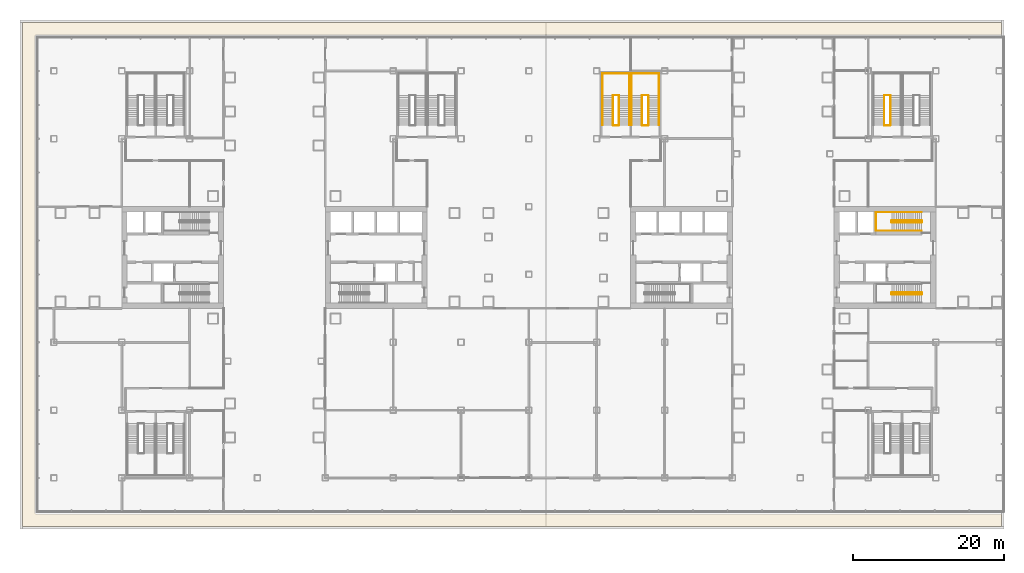
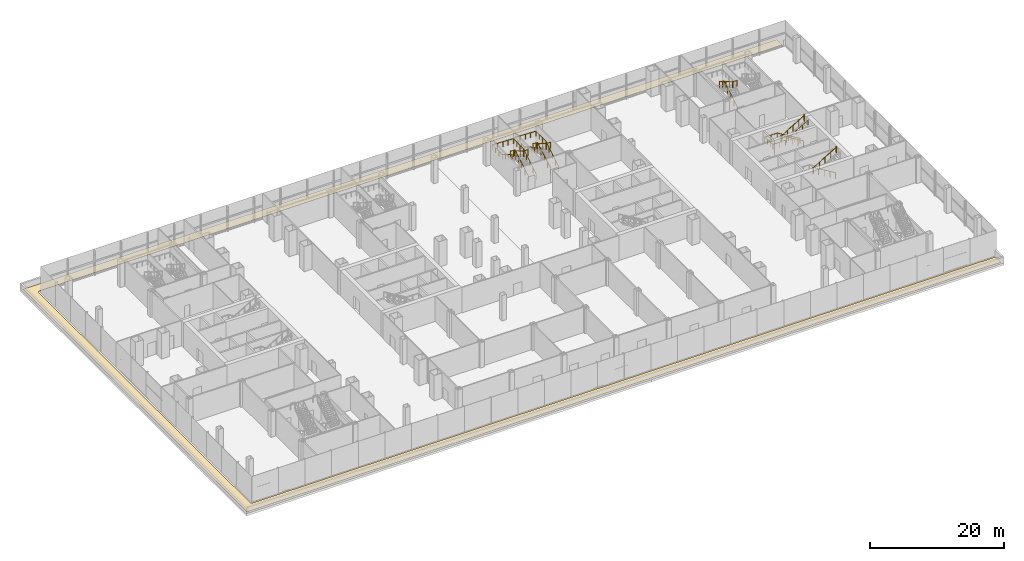
# One storey, part 32 of 33: 8 railings, 1 covering.
"""IFC4 building model written with IfcOpenShell, lengths in metres."""

from ifc_helpers import new_model, si_unit, direction, frame, origin, origin_2d, place, context, subcontext, project, spatial, polyline, circle, outline, extrude, material, layer, layer_set, type_object, element, save


model = new_model("IFC4")

# Units and contexts
model_context = context("Model", 3, precision=1e-05, world=origin(), true_north=direction((0.0, 1.0)))
body_context = subcontext(model_context, "Body", "Model", "MODEL_VIEW")
ifc_project = project(units=[si_unit("LENGTHUNIT", "METRE"), si_unit("AREAUNIT", "SQUARE_METRE"), si_unit("VOLUMEUNIT", "CUBIC_METRE"), si_unit("PLANEANGLEUNIT", "RADIAN"), si_unit("MASSUNIT", "GRAM", prefix="KILO")], contexts=[model_context])

# Site, building, storey
site_placement = place(None, origin())
site = spatial("IfcSite", under=ifc_project, at=site_placement, CompositionType="ELEMENT")
building_placement = place(site_placement, origin())
building = spatial("IfcBuilding", under=site, at=building_placement, Name="Shamsa Quay Exchange Towers", CompositionType="ELEMENT")
storey_placement = place(building_placement, frame((0.0, 0.0, 18.5)))
storey = spatial("IfcBuildingStorey", under=building, at=storey_placement, Name="L03", CompositionType="ELEMENT", Elevation=18.5)

# Covering
ifc_material_1 = material(Name="Bituminous waterproofing membrane with ballast")
ifc_layer = layer(ifc_material_1, 0.06005859375)
ifc_layer_set = layer_set([ifc_layer], Name="ROOF MEMBRANE 60")
covering_type = type_object("IfcCoveringType", Name="ROOF MEMBRANE 60", PredefinedType="ROOFING", material=ifc_layer_set)
covering_placement = place(storey_placement, origin())
element("IfcCovering", 1, at=covering_placement, inside=storey, type_object=covering_type, Name="Roof membrane 1.1", PredefinedType="ROOFING", context=body_context, shape_type="SweptSolid", body=[
    extrude(outline(polyline([(-65.3125, 29.56396484375), (-65.3427734375, 29.55615234375), (-65.37255859375, 29.545654296875), (-65.40087890625, 29.5322265625), (-65.427734375, 29.51611328125), (-65.453125, 29.497314453125), (-65.476318359375, 29.476318359375), (-65.497314453125, 29.453125), (-65.51611328125, 29.427734375), (-65.5322265625, 29.40087890625), (-65.545654296875, 29.37255859375), (-65.55615234375, 29.3427734375), (-65.56396484375, 29.3125), (-65.568359375, 29.28125), (-65.570068359375, 29.25), (-65.570068359375, -33.75), (-65.568359375, -33.78125), (-65.56396484375, -33.8125), (-65.55615234375, -33.8427734375), (-65.545654296875, -33.87255859375), (-65.5322265625, -33.90087890625), (-65.51611328125, -33.927734375), (-65.497314453125, -33.953125), (-65.476318359375, -33.976318359375), (-65.453125, -33.997314453125), (-65.427734375, -34.01611328125), (-65.40087890625, -34.0322265625), (-65.37255859375, -34.045654296875), (-65.3427734375, -34.05615234375), (-65.3125, -34.06396484375), (-65.28125, -34.068359375), (-65.25, -34.070068359375), (62.679931640625, -34.070068359375), (62.679931640625, -35.679931640625), (-67.179931640625, -35.679931640625), (-67.179931640625, 31.179931640625), (62.679931640625, 31.179931640625), (62.679931640625, 29.570068359375), (-65.25, 29.570068359375), (-65.28125, 29.568359375), (-65.3125, 29.56396484375)])), origin(), (0.0, 0.0, 1.0), 0.06005859375),
])

# Railings
ifc_material_2 = material(Name="Stainless steel", Category="steel")
railing_type_1 = type_object("IfcRailingType", Name="STAIR GUARD 1100", PredefinedType="GUARDRAIL", material=ifc_material_2)
railing_1_placement = place(storey_placement, frame((52.10009765625, -4.64990234375, 0.166748046875)))
element("IfcRailing", 2, at=railing_1_placement, inside=storey, type_object=railing_type_1, Name="L03 ST5 stair guard 1", PredefinedType="GUARDRAIL", context=body_context, shape_type="SweptSolid", body=[
    extrude(circle(Radius=0.02392578125, at=origin_2d()), frame((0.0, 0.0, 1.076171875), z_axis=(-0.859310244771, 0.0, 0.511454693235), x_axis=(0.0, -1.0, 0.0)), (0.0, 0.0, 1.0), 4.56201171875),
    extrude(circle(Radius=0.02392578125, at=origin_2d()), frame((-3.920166015625, 0.0, 3.4091796875), z_axis=(-0.707106781187, -0.707106781187, 0.0), x_axis=(0.707106781187, -0.707106781187, 0.0)), (0.0, 0.0, 1.0), 0.07080078125),
    extrude(circle(Radius=0.02392578125, at=origin_2d()), frame((-3.97021484375, -0.050048828125, 3.4091796875), z_axis=(0.0, -1.0, 0.0), x_axis=(1.0, 0.0, 0.0)), (0.0, 0.0, 1.0), 0.150146484375),
    extrude(circle(Radius=0.02392578125, at=origin_2d()), frame((-3.97021484375, -0.2001953125, 3.4091796875), z_axis=(0.276389281352, -0.275041040955, 0.920848191041), x_axis=(0.705375805398, 0.708833529934, 0.0)), (0.0, 0.0, 1.0), 0.18115234375),
    extrude(circle(Radius=0.02392578125, at=origin_2d()), frame((-3.920166015625, -0.25, 3.576171875), z_axis=(0.859310244771, 0.0, 0.511454693235), x_axis=(0.0, 1.0, 0.0)), (0.0, 0.0, 1.0), 4.56201171875),
    extrude(circle(Radius=0.02392578125, at=origin_2d()), frame((0.0, -0.25, 5.9091796875), z_axis=(0.241699205484, 0.970351222016, 0.0), x_axis=(-0.970351222016, 0.241699205484, 0.0)), (0.0, 0.0, 1.0), 0.2060546875),
    extrude(circle(Radius=0.02392578125, at=origin_2d()), frame((0.0498046875, -0.050048828125, 5.9091796875), z_axis=(0.0, -1.0, 0.0), x_axis=(1.0, 0.0, 0.0)), (0.0, 0.0, 1.0), 0.150146484375),
    extrude(circle(Radius=0.02099609375, at=origin_2d()), origin(), (0.0, 0.0, 1.0), 1.052001953125),
    extrude(circle(Radius=0.02099609375, at=origin_2d()), frame((-0.97998046875, 0.0, 0.583251953125)), (0.0, 0.0, 1.0), 1.052001953125),
    extrude(circle(Radius=0.02099609375, at=origin_2d()), frame((-1.9599609375, 0.0, 1.16650390625)), (0.0, 0.0, 1.0), 1.052001953125),
    extrude(circle(Radius=0.02099609375, at=origin_2d()), frame((-2.940185546875, 0.0, 1.75)), (0.0, 0.0, 1.0), 1.052001953125),
    extrude(circle(Radius=0.02099609375, at=origin_2d()), frame((-3.920166015625, 0.0, 2.333251953125)), (0.0, 0.0, 1.0), 1.052001953125),
    extrude(circle(Radius=0.02099609375, at=origin_2d()), frame((-3.97021484375, -0.050048828125, 2.333251953125)), (0.0, 0.0, 1.0), 1.052001953125),
    extrude(circle(Radius=0.02099609375, at=origin_2d()), frame((-3.97021484375, -0.2001953125, 2.333251953125)), (0.0, 0.0, 1.0), 1.052001953125),
    extrude(circle(Radius=0.02099609375, at=origin_2d()), frame((-3.920166015625, -0.25, 2.5)), (0.0, 0.0, 1.0), 1.052001953125),
    extrude(circle(Radius=0.02099609375, at=origin_2d()), frame((-2.940185546875, -0.25, 3.083251953125)), (0.0, 0.0, 1.0), 1.052001953125),
    extrude(circle(Radius=0.02099609375, at=origin_2d()), frame((-1.9599609375, -0.25, 3.66650390625)), (0.0, 0.0, 1.0), 1.052001953125),
    extrude(circle(Radius=0.02099609375, at=origin_2d()), frame((-0.97998046875, -0.25, 4.25)), (0.0, 0.0, 1.0), 1.052001953125),
    extrude(circle(Radius=0.02099609375, at=origin_2d()), frame((0.0, -0.25, 4.833251953125)), (0.0, 0.0, 1.0), 1.052001953125),
    extrude(circle(Radius=0.02099609375, at=origin_2d()), frame((0.0498046875, -0.050048828125, 4.833251953125)), (0.0, 0.0, 1.0), 1.052001953125),
    extrude(circle(Radius=0.02099609375, at=origin_2d()), frame((0.0498046875, -0.2001953125, 4.833251953125)), (0.0, 0.0, 1.0), 1.052001953125),
])
railing_2_placement = place(storey_placement, frame((52.10009765625, 4.89990234375, 0.166748046875)))
element("IfcRailing", 3, at=railing_2_placement, inside=storey, type_object=railing_type_1, Name="L03 ST6 stair guard 1", PredefinedType="GUARDRAIL", context=body_context, shape_type="SweptSolid", body=[
    extrude(circle(Radius=0.02392578125, at=origin_2d()), frame((0.0, 0.0, 1.076171875), z_axis=(-0.859310244771, 0.0, 0.511454693235), x_axis=(0.0, -1.0, 0.0)), (0.0, 0.0, 1.0), 4.56201171875),
    extrude(circle(Radius=0.02392578125, at=origin_2d()), frame((-3.920166015625, 0.0, 3.4091796875), z_axis=(-0.708833529934, -0.705375805398, 0.0), x_axis=(0.705375805398, -0.708833529934, 0.0)), (0.0, 0.0, 1.0), 0.070556640625),
    extrude(circle(Radius=0.02392578125, at=origin_2d()), frame((-3.97021484375, -0.0498046875, 3.4091796875), z_axis=(0.0, -1.0, 0.0), x_axis=(1.0, 0.0, 0.0)), (0.0, 0.0, 1.0), 0.150146484375),
    extrude(circle(Radius=0.02392578125, at=origin_2d()), frame((-3.97021484375, -0.199951171875, 3.4091796875), z_axis=(0.27628659633, -0.27628659633, 0.920506074601), x_axis=(0.707106781187, 0.707106781187, 0.0)), (0.0, 0.0, 1.0), 0.18115234375),
    extrude(circle(Radius=0.02392578125, at=origin_2d()), frame((-3.920166015625, -0.25, 3.576171875), z_axis=(0.859310244771, 0.0, 0.511454693235), x_axis=(0.0, 1.0, 0.0)), (0.0, 0.0, 1.0), 4.56201171875),
    extrude(circle(Radius=0.02392578125, at=origin_2d()), frame((0.0, -0.25, 5.9091796875), z_axis=(0.24142163986, 0.970420317083, 0.0), x_axis=(-0.970420317083, 0.24142163986, 0.0)), (0.0, 0.0, 1.0), 0.206298828125),
    extrude(circle(Radius=0.02392578125, at=origin_2d()), frame((0.0498046875, -0.0498046875, 5.9091796875), z_axis=(0.0, -1.0, 0.0), x_axis=(1.0, 0.0, 0.0)), (0.0, 0.0, 1.0), 0.150146484375),
    extrude(circle(Radius=0.02099609375, at=origin_2d()), origin(), (0.0, 0.0, 1.0), 1.052001953125),
    extrude(circle(Radius=0.02099609375, at=origin_2d()), frame((-0.97998046875, 0.0, 0.583251953125)), (0.0, 0.0, 1.0), 1.052001953125),
    extrude(circle(Radius=0.02099609375, at=origin_2d()), frame((-1.9599609375, 0.0, 1.16650390625)), (0.0, 0.0, 1.0), 1.052001953125),
    extrude(circle(Radius=0.02099609375, at=origin_2d()), frame((-2.940185546875, 0.0, 1.75)), (0.0, 0.0, 1.0), 1.052001953125),
    extrude(circle(Radius=0.02099609375, at=origin_2d()), frame((-3.920166015625, 0.0, 2.333251953125)), (0.0, 0.0, 1.0), 1.052001953125),
    extrude(circle(Radius=0.02099609375, at=origin_2d()), frame((-3.97021484375, -0.0498046875, 2.333251953125)), (0.0, 0.0, 1.0), 1.052001953125),
    extrude(circle(Radius=0.02099609375, at=origin_2d()), frame((-3.97021484375, -0.199951171875, 2.333251953125)), (0.0, 0.0, 1.0), 1.052001953125),
    extrude(circle(Radius=0.02099609375, at=origin_2d()), frame((-3.920166015625, -0.25, 2.5)), (0.0, 0.0, 1.0), 1.052001953125),
    extrude(circle(Radius=0.02099609375, at=origin_2d()), frame((-2.940185546875, -0.25, 3.083251953125)), (0.0, 0.0, 1.0), 1.052001953125),
    extrude(circle(Radius=0.02099609375, at=origin_2d()), frame((-1.9599609375, -0.25, 3.66650390625)), (0.0, 0.0, 1.0), 1.052001953125),
    extrude(circle(Radius=0.02099609375, at=origin_2d()), frame((-0.97998046875, -0.25, 4.25)), (0.0, 0.0, 1.0), 1.052001953125),
    extrude(circle(Radius=0.02099609375, at=origin_2d()), frame((0.0, -0.25, 4.833251953125)), (0.0, 0.0, 1.0), 1.052001953125),
    extrude(circle(Radius=0.02099609375, at=origin_2d()), frame((0.0498046875, -0.0498046875, 4.833251953125)), (0.0, 0.0, 1.0), 1.052001953125),
    extrude(circle(Radius=0.02099609375, at=origin_2d()), frame((0.0498046875, -0.199951171875, 4.833251953125)), (0.0, 0.0, 1.0), 1.052001953125),
])
railing_3_placement = place(storey_placement, frame((11.97509765625, 17.550048828125, 0.166748046875)))
element("IfcRailing", 4, at=railing_3_placement, inside=storey, type_object=railing_type_1, Name="L03 PS3A stair guard 1", PredefinedType="GUARDRAIL", context=body_context, shape_type="SweptSolid", body=[
    extrude(circle(Radius=0.02392578125, at=origin_2d()), frame((0.0, 0.0, 1.076171875), z_axis=(0.0, 0.859296244711, 0.511478214419), x_axis=(-1.0, 0.0, 0.0)), (0.0, 0.0, 1.0), 4.561767578125),
    extrude(circle(Radius=0.02392578125, at=origin_2d()), frame((0.0, 3.919921875, 3.4091796875), z_axis=(-0.707106781187, 0.707106781187, 0.0), x_axis=(-0.707106781187, -0.707106781187, 0.0)), (0.0, 0.0, 1.0), 0.07080078125),
    extrude(circle(Radius=0.02392578125, at=origin_2d()), frame((-0.050048828125, 3.969970703125, 3.4091796875), z_axis=(-1.0, 0.0, 0.0), x_axis=(0.0, -1.0, 0.0)), (0.0, 0.0, 1.0), 0.72509765625),
    extrude(circle(Radius=0.02392578125, at=origin_2d()), frame((-0.775146484375, 3.969970703125, 3.4091796875), z_axis=(-0.27628659633, -0.27628659633, 0.920506074601), x_axis=(0.707106781187, -0.707106781187, 0.0)), (0.0, 0.0, 1.0), 0.18115234375),
    extrude(circle(Radius=0.02392578125, at=origin_2d()), frame((-0.8251953125, 3.919921875, 3.576171875), z_axis=(0.0, -0.859296244711, 0.511478214419), x_axis=(1.0, 0.0, 0.0)), (0.0, 0.0, 1.0), 4.561767578125),
    extrude(circle(Radius=0.02392578125, at=origin_2d()), frame((-0.8251953125, 0.0, 5.9091796875), z_axis=(0.997922050633, -0.064432762324, 0.0), x_axis=(0.064432762324, 0.997922050633, 0.0)), (0.0, 0.0, 1.0), 0.77685546875),
    extrude(circle(Radius=0.02392578125, at=origin_2d()), frame((-0.050048828125, -0.050048828125, 5.9091796875), z_axis=(-1.0, 0.0, 0.0), x_axis=(0.0, -1.0, 0.0)), (0.0, 0.0, 1.0), 0.72509765625),
    extrude(circle(Radius=0.02099609375, at=origin_2d()), origin(), (0.0, 0.0, 1.0), 1.052001953125),
    extrude(circle(Radius=0.02099609375, at=origin_2d()), frame((0.0, 0.97998046875, 0.583251953125)), (0.0, 0.0, 1.0), 1.052001953125),
    extrude(circle(Radius=0.02099609375, at=origin_2d()), frame((0.0, 1.9599609375, 1.16650390625)), (0.0, 0.0, 1.0), 1.052001953125),
    extrude(circle(Radius=0.02099609375, at=origin_2d()), frame((0.0, 2.93994140625, 1.75)), (0.0, 0.0, 1.0), 1.052001953125),
    extrude(circle(Radius=0.02099609375, at=origin_2d()), frame((0.0, 3.919921875, 2.333251953125)), (0.0, 0.0, 1.0), 1.052001953125),
    extrude(circle(Radius=0.02099609375, at=origin_2d()), frame((-0.050048828125, 3.969970703125, 2.333251953125)), (0.0, 0.0, 1.0), 1.052001953125),
    extrude(circle(Radius=0.02099609375, at=origin_2d()), frame((-0.775146484375, 3.969970703125, 2.333251953125)), (0.0, 0.0, 1.0), 1.052001953125),
    extrude(circle(Radius=0.02099609375, at=origin_2d()), frame((-0.8251953125, 3.919921875, 2.5)), (0.0, 0.0, 1.0), 1.052001953125),
    extrude(circle(Radius=0.02099609375, at=origin_2d()), frame((-0.8251953125, 2.93994140625, 3.083251953125)), (0.0, 0.0, 1.0), 1.052001953125),
    extrude(circle(Radius=0.02099609375, at=origin_2d()), frame((-0.8251953125, 1.9599609375, 3.66650390625)), (0.0, 0.0, 1.0), 1.052001953125),
    extrude(circle(Radius=0.02099609375, at=origin_2d()), frame((-0.8251953125, 0.97998046875, 4.25)), (0.0, 0.0, 1.0), 1.052001953125),
    extrude(circle(Radius=0.02099609375, at=origin_2d()), frame((-0.8251953125, 0.0, 4.833251953125)), (0.0, 0.0, 1.0), 1.052001953125),
    extrude(circle(Radius=0.02099609375, at=origin_2d()), frame((-0.050048828125, -0.050048828125, 4.833251953125)), (0.0, 0.0, 1.0), 1.052001953125),
    extrude(circle(Radius=0.02099609375, at=origin_2d()), frame((-0.775146484375, -0.050048828125, 4.833251953125)), (0.0, 0.0, 1.0), 1.052001953125),
])
railing_4_placement = place(storey_placement, frame((15.85009765625, 17.550048828125, 0.166748046875)))
element("IfcRailing", 5, at=railing_4_placement, inside=storey, type_object=railing_type_1, Name="L03 PS3B stair guard 1", PredefinedType="GUARDRAIL", context=body_context, shape_type="SweptSolid", body=[
    extrude(circle(Radius=0.02392578125, at=origin_2d()), frame((0.0, 0.0, 1.076171875), z_axis=(0.0, 0.859296244711, 0.511478214419), x_axis=(-1.0, 0.0, 0.0)), (0.0, 0.0, 1.0), 4.561767578125),
    extrude(circle(Radius=0.02392578125, at=origin_2d()), frame((0.0, 3.919921875, 3.4091796875), z_axis=(-0.707106781187, 0.707106781187, 0.0), x_axis=(-0.707106781187, -0.707106781187, 0.0)), (0.0, 0.0, 1.0), 0.07080078125),
    extrude(circle(Radius=0.02392578125, at=origin_2d()), frame((-0.050048828125, 3.969970703125, 3.4091796875), z_axis=(-1.0, 0.0, 0.0), x_axis=(0.0, -1.0, 0.0)), (0.0, 0.0, 1.0), 0.72509765625),
    extrude(circle(Radius=0.02392578125, at=origin_2d()), frame((-0.775146484375, 3.969970703125, 3.4091796875), z_axis=(-0.27628659633, -0.27628659633, 0.920506074601), x_axis=(0.707106781187, -0.707106781187, 0.0)), (0.0, 0.0, 1.0), 0.18115234375),
    extrude(circle(Radius=0.02392578125, at=origin_2d()), frame((-0.8251953125, 3.919921875, 3.576171875), z_axis=(0.0, -0.859296244711, 0.511478214419), x_axis=(1.0, 0.0, 0.0)), (0.0, 0.0, 1.0), 4.561767578125),
    extrude(circle(Radius=0.02392578125, at=origin_2d()), frame((-0.8251953125, 0.0, 5.9091796875), z_axis=(0.997922050633, -0.064432762324, 0.0), x_axis=(0.064432762324, 0.997922050633, 0.0)), (0.0, 0.0, 1.0), 0.77685546875),
    extrude(circle(Radius=0.02392578125, at=origin_2d()), frame((-0.050048828125, -0.050048828125, 5.9091796875), z_axis=(-1.0, 0.0, 0.0), x_axis=(0.0, -1.0, 0.0)), (0.0, 0.0, 1.0), 0.72509765625),
    extrude(circle(Radius=0.02099609375, at=origin_2d()), origin(), (0.0, 0.0, 1.0), 1.052001953125),
    extrude(circle(Radius=0.02099609375, at=origin_2d()), frame((0.0, 0.97998046875, 0.583251953125)), (0.0, 0.0, 1.0), 1.052001953125),
    extrude(circle(Radius=0.02099609375, at=origin_2d()), frame((0.0, 1.9599609375, 1.16650390625)), (0.0, 0.0, 1.0), 1.052001953125),
    extrude(circle(Radius=0.02099609375, at=origin_2d()), frame((0.0, 2.93994140625, 1.75)), (0.0, 0.0, 1.0), 1.052001953125),
    extrude(circle(Radius=0.02099609375, at=origin_2d()), frame((0.0, 3.919921875, 2.333251953125)), (0.0, 0.0, 1.0), 1.052001953125),
    extrude(circle(Radius=0.02099609375, at=origin_2d()), frame((-0.050048828125, 3.969970703125, 2.333251953125)), (0.0, 0.0, 1.0), 1.052001953125),
    extrude(circle(Radius=0.02099609375, at=origin_2d()), frame((-0.775146484375, 3.969970703125, 2.333251953125)), (0.0, 0.0, 1.0), 1.052001953125),
    extrude(circle(Radius=0.02099609375, at=origin_2d()), frame((-0.8251953125, 3.919921875, 2.5)), (0.0, 0.0, 1.0), 1.052001953125),
    extrude(circle(Radius=0.02099609375, at=origin_2d()), frame((-0.8251953125, 2.93994140625, 3.083251953125)), (0.0, 0.0, 1.0), 1.052001953125),
    extrude(circle(Radius=0.02099609375, at=origin_2d()), frame((-0.8251953125, 1.9599609375, 3.66650390625)), (0.0, 0.0, 1.0), 1.052001953125),
    extrude(circle(Radius=0.02099609375, at=origin_2d()), frame((-0.8251953125, 0.97998046875, 4.25)), (0.0, 0.0, 1.0), 1.052001953125),
    extrude(circle(Radius=0.02099609375, at=origin_2d()), frame((-0.8251953125, 0.0, 4.833251953125)), (0.0, 0.0, 1.0), 1.052001953125),
    extrude(circle(Radius=0.02099609375, at=origin_2d()), frame((-0.050048828125, -0.050048828125, 4.833251953125)), (0.0, 0.0, 1.0), 1.052001953125),
    extrude(circle(Radius=0.02099609375, at=origin_2d()), frame((-0.775146484375, -0.050048828125, 4.833251953125)), (0.0, 0.0, 1.0), 1.052001953125),
])
railing_5_placement = place(storey_placement, frame((47.97509765625, 17.550048828125, 0.166748046875)))
element("IfcRailing", 6, at=railing_5_placement, inside=storey, type_object=railing_type_1, Name="L03 PS4A stair guard 1", PredefinedType="GUARDRAIL", context=body_context, shape_type="SweptSolid", body=[
    extrude(circle(Radius=0.02392578125, at=origin_2d()), frame((0.0, 0.0, 1.076171875), z_axis=(0.0, 0.859296244711, 0.511478214419), x_axis=(-1.0, 0.0, 0.0)), (0.0, 0.0, 1.0), 4.561767578125),
    extrude(circle(Radius=0.02392578125, at=origin_2d()), frame((0.0, 3.919921875, 3.4091796875), z_axis=(-0.707106781187, 0.707106781187, 0.0), x_axis=(-0.707106781187, -0.707106781187, 0.0)), (0.0, 0.0, 1.0), 0.07080078125),
    extrude(circle(Radius=0.02392578125, at=origin_2d()), frame((-0.050048828125, 3.969970703125, 3.4091796875), z_axis=(-1.0, 0.0, 0.0), x_axis=(0.0, -1.0, 0.0)), (0.0, 0.0, 1.0), 0.72509765625),
    extrude(circle(Radius=0.02392578125, at=origin_2d()), frame((-0.775146484375, 3.969970703125, 3.4091796875), z_axis=(-0.27628659633, -0.27628659633, 0.920506074601), x_axis=(0.707106781187, -0.707106781187, 0.0)), (0.0, 0.0, 1.0), 0.18115234375),
    extrude(circle(Radius=0.02392578125, at=origin_2d()), frame((-0.8251953125, 3.919921875, 3.576171875), z_axis=(0.0, -0.859296244711, 0.511478214419), x_axis=(1.0, 0.0, 0.0)), (0.0, 0.0, 1.0), 4.561767578125),
    extrude(circle(Radius=0.02392578125, at=origin_2d()), frame((-0.8251953125, 0.0, 5.9091796875), z_axis=(0.997922050633, -0.064432762324, 0.0), x_axis=(0.064432762324, 0.997922050633, 0.0)), (0.0, 0.0, 1.0), 0.77685546875),
    extrude(circle(Radius=0.02392578125, at=origin_2d()), frame((-0.050048828125, -0.050048828125, 5.9091796875), z_axis=(-1.0, 0.0, 0.0), x_axis=(0.0, -1.0, 0.0)), (0.0, 0.0, 1.0), 0.72509765625),
    extrude(circle(Radius=0.02099609375, at=origin_2d()), origin(), (0.0, 0.0, 1.0), 1.052001953125),
    extrude(circle(Radius=0.02099609375, at=origin_2d()), frame((0.0, 0.97998046875, 0.583251953125)), (0.0, 0.0, 1.0), 1.052001953125),
    extrude(circle(Radius=0.02099609375, at=origin_2d()), frame((0.0, 1.9599609375, 1.16650390625)), (0.0, 0.0, 1.0), 1.052001953125),
    extrude(circle(Radius=0.02099609375, at=origin_2d()), frame((0.0, 2.93994140625, 1.75)), (0.0, 0.0, 1.0), 1.052001953125),
    extrude(circle(Radius=0.02099609375, at=origin_2d()), frame((0.0, 3.919921875, 2.333251953125)), (0.0, 0.0, 1.0), 1.052001953125),
    extrude(circle(Radius=0.02099609375, at=origin_2d()), frame((-0.050048828125, 3.969970703125, 2.333251953125)), (0.0, 0.0, 1.0), 1.052001953125),
    extrude(circle(Radius=0.02099609375, at=origin_2d()), frame((-0.775146484375, 3.969970703125, 2.333251953125)), (0.0, 0.0, 1.0), 1.052001953125),
    extrude(circle(Radius=0.02099609375, at=origin_2d()), frame((-0.8251953125, 3.919921875, 2.5)), (0.0, 0.0, 1.0), 1.052001953125),
    extrude(circle(Radius=0.02099609375, at=origin_2d()), frame((-0.8251953125, 2.93994140625, 3.083251953125)), (0.0, 0.0, 1.0), 1.052001953125),
    extrude(circle(Radius=0.02099609375, at=origin_2d()), frame((-0.8251953125, 1.9599609375, 3.66650390625)), (0.0, 0.0, 1.0), 1.052001953125),
    extrude(circle(Radius=0.02099609375, at=origin_2d()), frame((-0.8251953125, 0.97998046875, 4.25)), (0.0, 0.0, 1.0), 1.052001953125),
    extrude(circle(Radius=0.02099609375, at=origin_2d()), frame((-0.8251953125, 0.0, 4.833251953125)), (0.0, 0.0, 1.0), 1.052001953125),
    extrude(circle(Radius=0.02099609375, at=origin_2d()), frame((-0.050048828125, -0.050048828125, 4.833251953125)), (0.0, 0.0, 1.0), 1.052001953125),
    extrude(circle(Radius=0.02099609375, at=origin_2d()), frame((-0.775146484375, -0.050048828125, 4.833251953125)), (0.0, 0.0, 1.0), 1.052001953125),
])
railing_type_2 = type_object("IfcRailingType", Name="STAIR HANDRAIL 900", PredefinedType="HANDRAIL", material=ifc_material_2)
railing_6_placement = place(storey_placement, frame((52.10009765625, 6.0, 0.166748046875)))
element("IfcRailing", 7, at=railing_6_placement, inside=storey, type_object=railing_type_2, Name="L03 ST6 stair handrail 1", PredefinedType="HANDRAIL", context=body_context, shape_type="SweptSolid", body=[
    extrude(circle(Radius=0.02392578125, at=origin_2d()), frame((0.0, 0.0, 0.8759765625), z_axis=(-0.859310244771, 0.0, 0.511454693235), x_axis=(0.0, -1.0, 0.0)), (0.0, 0.0, 1.0), 4.56201171875),
    extrude(circle(Radius=0.02392578125, at=origin_2d()), frame((-3.920166015625, 0.0, 3.208984375), z_axis=(-1.0, 0.0, 0.0), x_axis=(0.0, -1.0, 0.0)), (0.0, 0.0, 1.0), 2.1298828125),
    extrude(circle(Radius=0.02392578125, at=origin_2d()), frame((-6.050048828125, 0.0, 3.208984375), z_axis=(0.0, -0.997691813052, 0.067904684436), x_axis=(1.0, 0.0, 0.0)), (0.0, 0.0, 1.0), 2.45556640625),
    extrude(circle(Radius=0.02392578125, at=origin_2d()), frame((-6.050048828125, -2.449951171875, 3.3759765625), z_axis=(1.0, 0.0, 0.0), x_axis=(0.0, 1.0, 0.0)), (0.0, 0.0, 1.0), 2.1298828125),
    extrude(circle(Radius=0.02392578125, at=origin_2d()), frame((-3.920166015625, -2.449951171875, 3.3759765625), z_axis=(0.859310244771, 0.0, 0.511454693235), x_axis=(0.0, 1.0, 0.0)), (0.0, 0.0, 1.0), 4.56201171875),
    extrude(circle(Radius=0.02099609375, at=origin_2d()), origin(), (0.0, 0.0, 1.0), 0.851806640625),
    extrude(circle(Radius=0.02099609375, at=origin_2d()), frame((-0.97998046875, 0.0, 0.583251953125)), (0.0, 0.0, 1.0), 0.851806640625),
    extrude(circle(Radius=0.02099609375, at=origin_2d()), frame((-1.9599609375, 0.0, 1.16650390625)), (0.0, 0.0, 1.0), 0.851806640625),
    extrude(circle(Radius=0.02099609375, at=origin_2d()), frame((-2.940185546875, 0.0, 1.75)), (0.0, 0.0, 1.0), 0.851806640625),
    extrude(circle(Radius=0.02099609375, at=origin_2d()), frame((-3.920166015625, 0.0, 2.333251953125)), (0.0, 0.0, 1.0), 0.851806640625),
    extrude(circle(Radius=0.02099609375, at=origin_2d()), frame((-4.985107421875, 0.0, 2.333251953125)), (0.0, 0.0, 1.0), 0.851806640625),
    extrude(circle(Radius=0.02099609375, at=origin_2d()), frame((-6.050048828125, 0.0, 2.333251953125)), (0.0, 0.0, 1.0), 0.851806640625),
    extrude(circle(Radius=0.02099609375, at=origin_2d()), frame((-6.050048828125, -0.816650390625, 2.388916015625)), (0.0, 0.0, 1.0), 0.851806640625),
    extrude(circle(Radius=0.02099609375, at=origin_2d()), frame((-6.050048828125, -1.63330078125, 2.4443359375)), (0.0, 0.0, 1.0), 0.851806640625),
    extrude(circle(Radius=0.02099609375, at=origin_2d()), frame((-6.050048828125, -2.449951171875, 2.5)), (0.0, 0.0, 1.0), 0.851806640625),
    extrude(circle(Radius=0.02099609375, at=origin_2d()), frame((-4.985107421875, -2.449951171875, 2.5)), (0.0, 0.0, 1.0), 0.851806640625),
    extrude(circle(Radius=0.02099609375, at=origin_2d()), frame((-3.920166015625, -2.449951171875, 2.5)), (0.0, 0.0, 1.0), 0.851806640625),
    extrude(circle(Radius=0.02099609375, at=origin_2d()), frame((-2.940185546875, -2.449951171875, 3.083251953125)), (0.0, 0.0, 1.0), 0.851806640625),
    extrude(circle(Radius=0.02099609375, at=origin_2d()), frame((-1.9599609375, -2.449951171875, 3.66650390625)), (0.0, 0.0, 1.0), 0.851806640625),
    extrude(circle(Radius=0.02099609375, at=origin_2d()), frame((-0.97998046875, -2.449951171875, 4.25)), (0.0, 0.0, 1.0), 0.851806640625),
    extrude(circle(Radius=0.02099609375, at=origin_2d()), frame((0.0, -2.449951171875, 4.833251953125)), (0.0, 0.0, 1.0), 0.851806640625),
])
railing_7_placement = place(storey_placement, frame((13.375, 17.550048828125, 0.166748046875)))
element("IfcRailing", 8, at=railing_7_placement, inside=storey, type_object=railing_type_2, Name="L03 PS3A stair handrail 1", PredefinedType="HANDRAIL", context=body_context, shape_type="SweptSolid", body=[
    extrude(circle(Radius=0.02392578125, at=origin_2d()), frame((0.0, 0.0, 0.8759765625), z_axis=(0.0, 0.859296244711, 0.511478214419), x_axis=(-1.0, 0.0, 0.0)), (0.0, 0.0, 1.0), 4.561767578125),
    extrude(circle(Radius=0.02392578125, at=origin_2d()), frame((0.0, 3.919921875, 3.208984375), z_axis=(0.0, 1.0, 0.0), x_axis=(-1.0, 0.0, 0.0)), (0.0, 0.0, 1.0), 2.929931640625),
    extrude(circle(Radius=0.02392578125, at=origin_2d()), frame((0.0, 6.849853515625, 3.208984375), z_axis=(-0.998943700797, 0.0, 0.045950872013), x_axis=(0.0, -1.0, 0.0)), (0.0, 0.0, 1.0), 3.62890625),
    extrude(circle(Radius=0.02392578125, at=origin_2d()), frame((-3.625, 6.849853515625, 3.3759765625), z_axis=(0.0, -1.0, 0.0), x_axis=(1.0, 0.0, 0.0)), (0.0, 0.0, 1.0), 2.929931640625),
    extrude(circle(Radius=0.02392578125, at=origin_2d()), frame((-3.625, 3.919921875, 3.3759765625), z_axis=(0.0, -0.859296244711, 0.511478214419), x_axis=(1.0, 0.0, 0.0)), (0.0, 0.0, 1.0), 4.561767578125),
    extrude(circle(Radius=0.02099609375, at=origin_2d()), origin(), (0.0, 0.0, 1.0), 0.851806640625),
    extrude(circle(Radius=0.02099609375, at=origin_2d()), frame((0.0, 0.97998046875, 0.583251953125)), (0.0, 0.0, 1.0), 0.851806640625),
    extrude(circle(Radius=0.02099609375, at=origin_2d()), frame((0.0, 1.9599609375, 1.16650390625)), (0.0, 0.0, 1.0), 0.851806640625),
    extrude(circle(Radius=0.02099609375, at=origin_2d()), frame((0.0, 2.93994140625, 1.75)), (0.0, 0.0, 1.0), 0.851806640625),
    extrude(circle(Radius=0.02099609375, at=origin_2d()), frame((0.0, 3.919921875, 2.333251953125)), (0.0, 0.0, 1.0), 0.851806640625),
    extrude(circle(Radius=0.02099609375, at=origin_2d()), frame((0.0, 4.896484375, 2.333251953125)), (0.0, 0.0, 1.0), 0.851806640625),
    extrude(circle(Radius=0.02099609375, at=origin_2d()), frame((0.0, 5.873291015625, 2.333251953125)), (0.0, 0.0, 1.0), 0.851806640625),
    extrude(circle(Radius=0.02099609375, at=origin_2d()), frame((0.0, 6.849853515625, 2.333251953125)), (0.0, 0.0, 1.0), 0.851806640625),
    extrude(circle(Radius=0.02099609375, at=origin_2d()), frame((-0.90625, 6.849853515625, 2.375)), (0.0, 0.0, 1.0), 0.851806640625),
    extrude(circle(Radius=0.02099609375, at=origin_2d()), frame((-1.8125, 6.849853515625, 2.41650390625)), (0.0, 0.0, 1.0), 0.851806640625),
    extrude(circle(Radius=0.02099609375, at=origin_2d()), frame((-2.71875, 6.849853515625, 2.458251953125)), (0.0, 0.0, 1.0), 0.851806640625),
    extrude(circle(Radius=0.02099609375, at=origin_2d()), frame((-3.625, 6.849853515625, 2.5)), (0.0, 0.0, 1.0), 0.851806640625),
    extrude(circle(Radius=0.02099609375, at=origin_2d()), frame((-3.625, 5.873291015625, 2.5)), (0.0, 0.0, 1.0), 0.851806640625),
    extrude(circle(Radius=0.02099609375, at=origin_2d()), frame((-3.625, 4.896484375, 2.5)), (0.0, 0.0, 1.0), 0.851806640625),
    extrude(circle(Radius=0.02099609375, at=origin_2d()), frame((-3.625, 3.919921875, 2.5)), (0.0, 0.0, 1.0), 0.851806640625),
    extrude(circle(Radius=0.02099609375, at=origin_2d()), frame((-3.625, 2.93994140625, 3.083251953125)), (0.0, 0.0, 1.0), 0.851806640625),
    extrude(circle(Radius=0.02099609375, at=origin_2d()), frame((-3.625, 1.9599609375, 3.66650390625)), (0.0, 0.0, 1.0), 0.851806640625),
    extrude(circle(Radius=0.02099609375, at=origin_2d()), frame((-3.625, 0.97998046875, 4.25)), (0.0, 0.0, 1.0), 0.851806640625),
    extrude(circle(Radius=0.02099609375, at=origin_2d()), frame((-3.625, 0.0, 4.833251953125)), (0.0, 0.0, 1.0), 0.851806640625),
])
railing_8_placement = place(storey_placement, frame((17.25, 17.550048828125, 0.166748046875)))
element("IfcRailing", 9, at=railing_8_placement, inside=storey, type_object=railing_type_2, Name="L03 PS3B stair handrail 1", PredefinedType="HANDRAIL", context=body_context, shape_type="SweptSolid", body=[
    extrude(circle(Radius=0.02392578125, at=origin_2d()), frame((0.0, 0.0, 0.8759765625), z_axis=(0.0, 0.859296244711, 0.511478214419), x_axis=(-1.0, 0.0, 0.0)), (0.0, 0.0, 1.0), 4.561767578125),
    extrude(circle(Radius=0.02392578125, at=origin_2d()), frame((0.0, 3.919921875, 3.208984375), z_axis=(0.0, 1.0, 0.0), x_axis=(-1.0, 0.0, 0.0)), (0.0, 0.0, 1.0), 2.929931640625),
    extrude(circle(Radius=0.02392578125, at=origin_2d()), frame((0.0, 6.849853515625, 3.208984375), z_axis=(-0.998943700797, 0.0, 0.045950872013), x_axis=(0.0, -1.0, 0.0)), (0.0, 0.0, 1.0), 3.62890625),
    extrude(circle(Radius=0.02392578125, at=origin_2d()), frame((-3.625, 6.849853515625, 3.3759765625), z_axis=(0.0, -1.0, 0.0), x_axis=(1.0, 0.0, 0.0)), (0.0, 0.0, 1.0), 2.929931640625),
    extrude(circle(Radius=0.02392578125, at=origin_2d()), frame((-3.625, 3.919921875, 3.3759765625), z_axis=(0.0, -0.859296244711, 0.511478214419), x_axis=(1.0, 0.0, 0.0)), (0.0, 0.0, 1.0), 4.561767578125),
    extrude(circle(Radius=0.02099609375, at=origin_2d()), origin(), (0.0, 0.0, 1.0), 0.851806640625),
    extrude(circle(Radius=0.02099609375, at=origin_2d()), frame((0.0, 0.97998046875, 0.583251953125)), (0.0, 0.0, 1.0), 0.851806640625),
    extrude(circle(Radius=0.02099609375, at=origin_2d()), frame((0.0, 1.9599609375, 1.16650390625)), (0.0, 0.0, 1.0), 0.851806640625),
    extrude(circle(Radius=0.02099609375, at=origin_2d()), frame((0.0, 2.93994140625, 1.75)), (0.0, 0.0, 1.0), 0.851806640625),
    extrude(circle(Radius=0.02099609375, at=origin_2d()), frame((0.0, 3.919921875, 2.333251953125)), (0.0, 0.0, 1.0), 0.851806640625),
    extrude(circle(Radius=0.02099609375, at=origin_2d()), frame((0.0, 4.896484375, 2.333251953125)), (0.0, 0.0, 1.0), 0.851806640625),
    extrude(circle(Radius=0.02099609375, at=origin_2d()), frame((0.0, 5.873291015625, 2.333251953125)), (0.0, 0.0, 1.0), 0.851806640625),
    extrude(circle(Radius=0.02099609375, at=origin_2d()), frame((0.0, 6.849853515625, 2.333251953125)), (0.0, 0.0, 1.0), 0.851806640625),
    extrude(circle(Radius=0.02099609375, at=origin_2d()), frame((-0.90625, 6.849853515625, 2.375)), (0.0, 0.0, 1.0), 0.851806640625),
    extrude(circle(Radius=0.02099609375, at=origin_2d()), frame((-1.8125, 6.849853515625, 2.41650390625)), (0.0, 0.0, 1.0), 0.851806640625),
    extrude(circle(Radius=0.02099609375, at=origin_2d()), frame((-2.71875, 6.849853515625, 2.458251953125)), (0.0, 0.0, 1.0), 0.851806640625),
    extrude(circle(Radius=0.02099609375, at=origin_2d()), frame((-3.625, 6.849853515625, 2.5)), (0.0, 0.0, 1.0), 0.851806640625),
    extrude(circle(Radius=0.02099609375, at=origin_2d()), frame((-3.625, 5.873291015625, 2.5)), (0.0, 0.0, 1.0), 0.851806640625),
    extrude(circle(Radius=0.02099609375, at=origin_2d()), frame((-3.625, 4.896484375, 2.5)), (0.0, 0.0, 1.0), 0.851806640625),
    extrude(circle(Radius=0.02099609375, at=origin_2d()), frame((-3.625, 3.919921875, 2.5)), (0.0, 0.0, 1.0), 0.851806640625),
    extrude(circle(Radius=0.02099609375, at=origin_2d()), frame((-3.625, 2.93994140625, 3.083251953125)), (0.0, 0.0, 1.0), 0.851806640625),
    extrude(circle(Radius=0.02099609375, at=origin_2d()), frame((-3.625, 1.9599609375, 3.66650390625)), (0.0, 0.0, 1.0), 0.851806640625),
    extrude(circle(Radius=0.02099609375, at=origin_2d()), frame((-3.625, 0.97998046875, 4.25)), (0.0, 0.0, 1.0), 0.851806640625),
    extrude(circle(Radius=0.02099609375, at=origin_2d()), frame((-3.625, 0.0, 4.833251953125)), (0.0, 0.0, 1.0), 0.851806640625),
])

save(model, "model.ifc")
